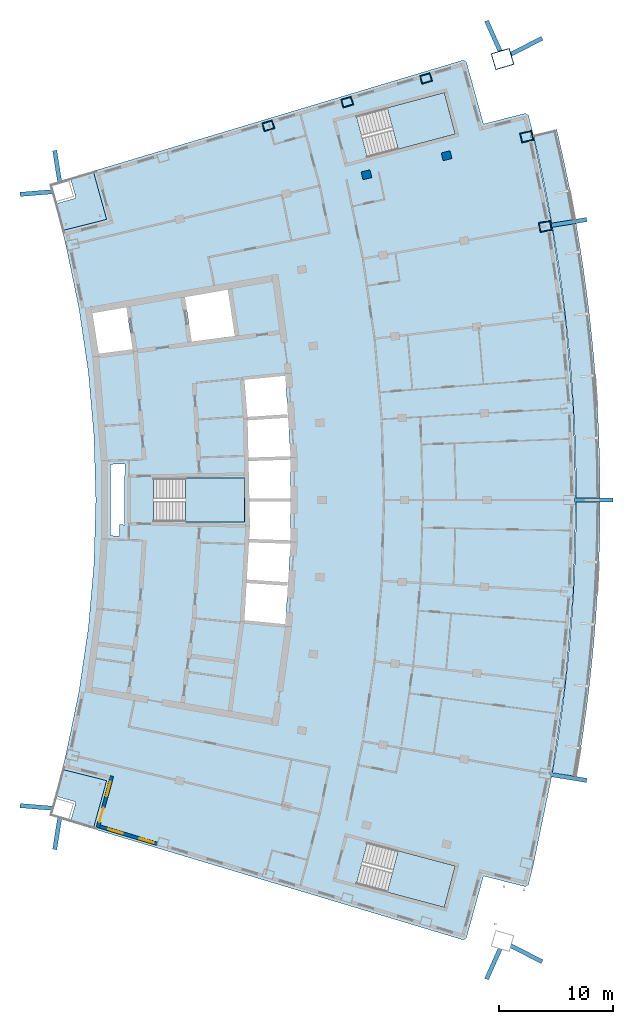
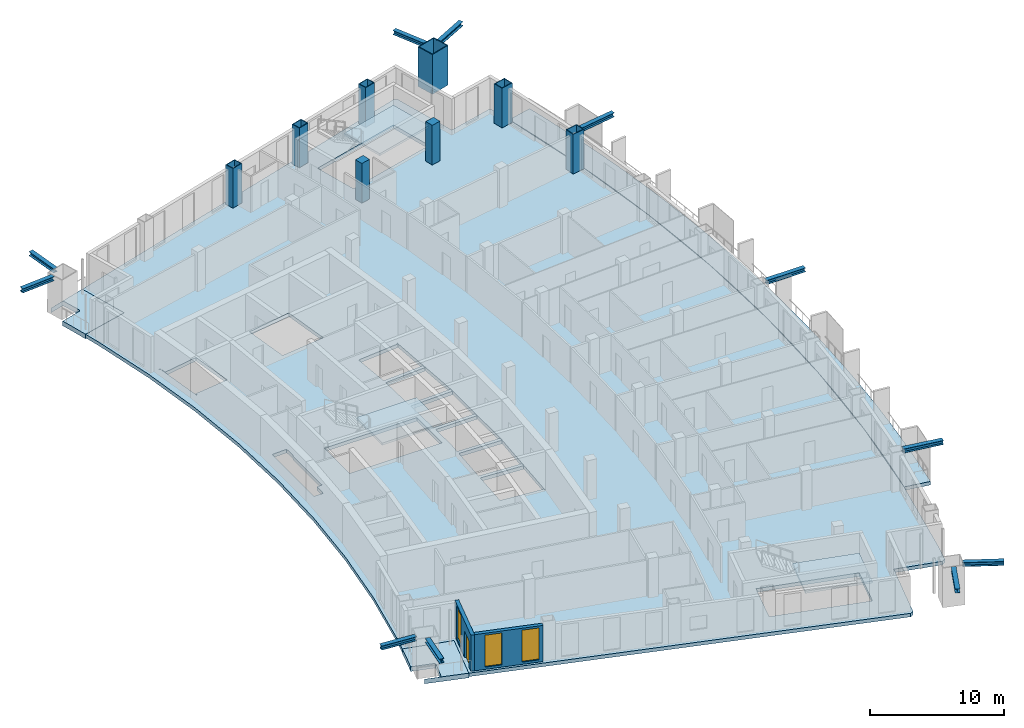
# One storey, part 8 of 19: 11 members, 8 columns, 7 slabs, 3 windows, 2 walls, 1 door, 4 openings, 3 elements without a shape of their own.
"""IFC4 building model written with IfcOpenShell, lengths in metres."""

from ifc_helpers import new_model, si_unit, direction, frame, frame_2d, origin, origin_2d, place, context, subcontext, project, spatial, polyline, rectangle, hollow_rectangle, i_section, outline, extrude, material, layer, layer_set, material_profile, profile_set, type_object, element, fill, aggregate, save


model = new_model("IFC4")

# Units and contexts
model_context = context("Model", 3, precision=1e-05, world=origin(), true_north=direction((0.0, 1.0)))
body_context = subcontext(model_context, "Body", "Model", "MODEL_VIEW")
ifc_project = project(units=[si_unit("LENGTHUNIT", "METRE"), si_unit("AREAUNIT", "SQUARE_METRE"), si_unit("VOLUMEUNIT", "CUBIC_METRE"), si_unit("PLANEANGLEUNIT", "RADIAN"), si_unit("MASSUNIT", "GRAM", prefix="KILO")], contexts=[model_context])

# Site, building, storey
site_placement = place(None, origin())
site = spatial("IfcSite", under=ifc_project, at=site_placement, CompositionType="ELEMENT")
building_placement = place(site_placement, origin())
building = spatial("IfcBuilding", under=site, at=building_placement, Name="Alderwake Tower", CompositionType="ELEMENT")
storey_placement = place(building_placement, frame((0.0, 0.0, 228.800048828125)))
storey = spatial("IfcBuildingStorey", under=building, at=storey_placement, Name="L57", CompositionType="ELEMENT", Elevation=228.800048828125)

# Columns
ifc_material_1 = material(Name="Steel ASTM A572 Grade 50 concrete filled C70/85", Category="concrete")
ifc_material_profile_1 = material_profile(ifc_material_1, hollow_rectangle(XDim=0.75, YDim=0.949951171875, WallThickness=0.054931640625, at=origin_2d()), Name="BOX 950X750X55")
ifc_profile_set_1 = profile_set([ifc_material_profile_1], Name="Steel ASTM A572 Grade 50 concrete filled C70/85")
column_type_1 = type_object("IfcColumnType", Name="End column Z4", PredefinedType="COLUMN", material=ifc_profile_set_1)
for number, where, z_axis, x_axis, name in (
    (1, (31.080322265625, 93.72314453125, 0.0), (0.0, 0.0, 1.0), (-0.282582549822, 0.959242984095, 0.0), "Column R12-C2"),
    (2, (37.976318359375, 95.79345703125, 0.0), (0.0, 0.0, 1.0), (-0.282873846689, 0.959157123134, 0.0), "Column R12-C3"),
    (3, (44.872314453125, 97.86376953125, 0.0), (0.0, 0.0, 1.0), (-0.283131639396, 0.959081057457, 0.0), "Column R12-C4"),
):
    element("IfcColumn", number, at=place(storey_placement, frame(where, z_axis=z_axis, x_axis=x_axis)), inside=storey, type_object=column_type_1, Name=name, PredefinedType="COLUMN", context=body_context, shape_type="SweptSolid", body=[
        extrude(hollow_rectangle(XDim=0.75, YDim=0.949951171875, WallThickness=0.054931640625, at=origin_2d()), origin(), (0.0, 0.0, 1.0), 3.599853515625),
    ])
ifc_material_2 = material(Name="Concrete C70/85", Category="concrete")
ifc_material_profile_2 = material_profile(ifc_material_2, rectangle(XDim=0.699951171875, YDim=0.800048828125, at=origin_2d()), Name="RC 800X700")
ifc_profile_set_2 = profile_set([ifc_material_profile_2], Name="Concrete C70/85")
column_type_2 = type_object("IfcColumnType", Name="Interior column Z4", PredefinedType="COLUMN", material=ifc_profile_set_2)
for number, where, z_axis, x_axis, name in (
    (4, (39.666748046875, 89.440185546875, 0.0), (0.0, 0.0, 1.0), (-0.231221547198, 0.972901123502, 0.0), "Column R11-C3"),
    (5, (46.671630859375, 91.10498046875, 0.0), (0.0, 0.0, 1.0), (-0.231221547198, 0.972901123502, 0.0), "Column R11-C4"),
):
    element("IfcColumn", number, at=place(storey_placement, frame(where, z_axis=z_axis, x_axis=x_axis)), inside=storey, type_object=column_type_2, Name=name, PredefinedType="COLUMN", context=body_context, shape_type="SweptSolid", body=[
        extrude(rectangle(XDim=0.699951171875, YDim=0.800048828125, at=origin_2d()), origin(), (0.0, 0.0, 1.0), 3.599853515625),
    ])
ifc_material_3 = material(Name="Steel ASTM A572 Grade 50 concrete filled C70/85", Category="concrete")
ifc_material_profile_3 = material_profile(ifc_material_3, hollow_rectangle(XDim=1.5, YDim=1.699951171875, WallThickness=0.074951171875, at=origin_2d()), Name="BOX 1700X1500X75")
ifc_profile_set_3 = profile_set([ifc_material_profile_3], Name="Steel ASTM A572 Grade 50 concrete filled C70/85")
column_type_3 = type_object("IfcColumnType", Name="Mega column Z4", PredefinedType="COLUMN", material=ifc_profile_set_3)
column_placement = place(storey_placement, frame((51.565185546875, 99.56201171875, 0.0), z_axis=(0.0, 0.0, 1.0), x_axis=(-0.281269716931, 0.959628754435, 0.0)))
element("IfcColumn", 6, at=column_placement, inside=storey, type_object=column_type_3, Name="Column R12-C5", PredefinedType="COLUMN", context=body_context, shape_type="SweptSolid", body=[
    extrude(hollow_rectangle(XDim=1.5, YDim=1.699951171875, WallThickness=0.074951171875, at=origin_2d()), origin(), (0.0, 0.0, 1.0), 3.599853515625),
])
ifc_material_4 = material(Name="Steel ASTM A572 Grade 50 concrete filled C70/85", Category="concrete")
ifc_material_profile_4 = material_profile(ifc_material_4, hollow_rectangle(XDim=0.85009765625, YDim=1.050048828125, WallThickness=0.054931640625, at=origin_2d()), Name="BOX 1050X850X55")
ifc_profile_set_4 = profile_set([ifc_material_profile_4], Name="Steel ASTM A572 Grade 50 concrete filled C70/85")
column_type_4 = type_object("IfcColumnType", Name="Perimeter column Z4", PredefinedType="COLUMN", material=ifc_profile_set_4)
for number, where, z_axis, x_axis, name in (
    (7, (55.301513671875, 84.922607421875, 0.0), (0.0, 0.0, 1.0), (-0.174108800747, 0.984726421654, 0.0), "Column R10-C5"),
    (8, (53.676513671875, 92.77001953125, 0.0), (0.0, 0.0, 1.0), (-0.231221547198, 0.972901123502, 0.0), "Column R11-C5"),
):
    element("IfcColumn", number, at=place(storey_placement, frame(where, z_axis=z_axis, x_axis=x_axis)), inside=storey, type_object=column_type_4, Name=name, PredefinedType="COLUMN", context=body_context, shape_type="SweptSolid", body=[
        extrude(hollow_rectangle(XDim=0.85009765625, YDim=1.050048828125, WallThickness=0.054931640625, at=origin_2d()), origin(), (0.0, 0.0, 1.0), 3.599853515625),
    ])

# Members
ifc_material_5 = material(Name="Steel ASTM A992 Grade 50", Category="steel")
ifc_material_profile_5 = material_profile(ifc_material_5, i_section(OverallWidth=0.3740234375, OverallDepth=0.372314453125, WebThickness=0.016357421875, FlangeThickness=0.026123046875, at=origin_2d()), Name="W14X132")
ifc_profile_set_5 = profile_set([ifc_material_profile_5], Name="Steel ASTM A992 Grade 50")
member_type = type_object("IfcMemberType", Name="Brace node stub W14X132", PredefinedType="MEMBER", material=ifc_profile_set_5)
member_1_placement = place(storey_placement, frame((55.76904296875, 36.994873046875, 3.393798828125), z_axis=(0.986785445733, -0.162032355067, 0.0), x_axis=(0.162032355067, 0.986785445733, 0.0)))
element("IfcMember", 9, at=member_1_placement, inside=storey, type_object=member_type, Name="Brace node stub BS.FR04-C5.2324", PredefinedType="MEMBER", context=body_context, shape_type="SweptSolid", body=[
    extrude(i_section(OverallWidth=0.3740234375, OverallDepth=0.372314453125, WebThickness=0.016357421875, FlangeThickness=0.026123046875, at=origin_2d()), origin(), (0.0, 0.0, 1.0), 3.19580078125),
])
member_2_placement = place(storey_placement, frame((52.27978515625, 22.02734375, 3.393798828125), z_axis=(0.890557439761, -0.454870801972, 0.0), x_axis=(0.454870801972, 0.890557439761, 0.0)))
element("IfcMember", 10, at=member_2_placement, inside=storey, type_object=member_type, Name="Brace node stub BS.FR02-C5.2324", PredefinedType="MEMBER", context=body_context, shape_type="SweptSolid", body=[
    extrude(i_section(OverallWidth=0.3740234375, OverallDepth=0.372314453125, WebThickness=0.016357421875, FlangeThickness=0.026123046875, at=origin_2d()), origin(), (0.0, 0.0, 1.0), 3.079833984375),
])
member_3_placement = place(storey_placement, frame((57.875, 61.0, 3.393798828125), z_axis=(1.0, 0.0, 0.0), x_axis=(0.0, 1.0, 0.0)))
element("IfcMember", 11, at=member_3_placement, inside=storey, type_object=member_type, Name="Brace node stub BS.FR07-C5.2324", PredefinedType="MEMBER", context=body_context, shape_type="SweptSolid", body=[
    extrude(i_section(OverallWidth=0.3740234375, OverallDepth=0.372314453125, WebThickness=0.016357421875, FlangeThickness=0.026123046875, at=origin_2d()), origin(), (0.0, 0.0, 1.0), 3.33642578125),
])
member_4_placement = place(storey_placement, frame((55.76904296875, 85.005126953125, 3.393798828125), z_axis=(0.986785445733, 0.162032355067, 0.0), x_axis=(-0.162032355067, 0.986785445733, 0.0)))
element("IfcMember", 12, at=member_4_placement, inside=storey, type_object=member_type, Name="Brace node stub BS.FR10-C5.2324", PredefinedType="MEMBER", context=body_context, shape_type="SweptSolid", body=[
    extrude(i_section(OverallWidth=0.3740234375, OverallDepth=0.372314453125, WebThickness=0.016357421875, FlangeThickness=0.026123046875, at=origin_2d()), origin(), (0.0, 0.0, 1.0), 3.19580078125),
])
member_5_placement = place(storey_placement, frame((52.27978515625, 99.97265625, 3.393798828125), z_axis=(0.890557439761, 0.454870801972, 0.0), x_axis=(-0.454870801972, 0.890557439761, 0.0)))
element("IfcMember", 13, at=member_5_placement, inside=storey, type_object=member_type, Name="Brace node stub BS.FR12-C5.2324", PredefinedType="MEMBER", context=body_context, shape_type="SweptSolid", body=[
    extrude(i_section(OverallWidth=0.3740234375, OverallDepth=0.372314453125, WebThickness=0.016357421875, FlangeThickness=0.026123046875, at=origin_2d()), origin(), (0.0, 0.0, 1.0), 3.079833984375),
])
for number, where, z_axis, x_axis, name in (
    (14, (12.239501953125, 34.0400390625, 3.393798828125), (-0.996697997814, 0.081197913482, 0.0), (-0.081197913482, -0.996697997814, 0.0), "Brace node stub BS.RR02-C0.2324"),
    (15, (12.239501953125, 87.9599609375, 3.393798828125), (-0.996697997814, -0.081197913482, 0.0), (0.081197913482, -0.996697997814, 0.0), "Brace node stub BS.RR12-C0.2324"),
):
    element("IfcMember", number, at=place(storey_placement, frame(where, z_axis=z_axis, x_axis=x_axis)), inside=storey, type_object=member_type, Name=name, PredefinedType="MEMBER", context=body_context, shape_type="SweptSolid", body=[
        extrude(i_section(OverallWidth=0.3740234375, OverallDepth=0.372314453125, WebThickness=0.016357421875, FlangeThickness=0.026123046875, at=origin_2d()), origin(), (0.0, 0.0, 1.0), 2.865478515625),
    ])
member_6_placement = place(storey_placement, frame((51.364501953125, 21.767333984375, 3.393798828125), z_axis=(-0.410086834616, -0.912046483505, 0.0), x_axis=(0.912046483505, -0.410086834616, 0.0)))
element("IfcMember", 16, at=member_6_placement, inside=storey, type_object=member_type, Name="Brace node stub BS.SR02-C5.2324", PredefinedType="MEMBER", context=body_context, shape_type="SweptSolid", body=[
    extrude(i_section(OverallWidth=0.3740234375, OverallDepth=0.372314453125, WebThickness=0.016357421875, FlangeThickness=0.026123046875, at=origin_2d()), origin(), (0.0, 0.0, 1.0), 2.923095703125),
])
member_7_placement = place(storey_placement, frame((12.862548828125, 33.331787109375, 3.393798828125), z_axis=(-0.157122439319, -0.987579130532, 0.0), x_axis=(0.987579130532, -0.157122439319, 0.0)))
element("IfcMember", 17, at=member_7_placement, inside=storey, type_object=member_type, Name="Brace node stub BS.SR02-C0.2324", PredefinedType="MEMBER", context=body_context, shape_type="SweptSolid", body=[
    extrude(i_section(OverallWidth=0.3740234375, OverallDepth=0.372314453125, WebThickness=0.016357421875, FlangeThickness=0.026123046875, at=origin_2d()), origin(), (0.0, 0.0, 1.0), 2.928955078125),
])
member_8_placement = place(storey_placement, frame((51.364501953125, 100.232666015625, 3.393798828125), z_axis=(-0.410086834616, 0.912046483505, 0.0), x_axis=(-0.912046483505, -0.410086834616, 0.0)))
element("IfcMember", 18, at=member_8_placement, inside=storey, type_object=member_type, Name="Brace node stub BS.NR12-C5.2324", PredefinedType="MEMBER", context=body_context, shape_type="SweptSolid", body=[
    extrude(i_section(OverallWidth=0.3740234375, OverallDepth=0.372314453125, WebThickness=0.016357421875, FlangeThickness=0.026123046875, at=origin_2d()), origin(), (0.0, 0.0, 1.0), 2.923095703125),
])
member_9_placement = place(storey_placement, frame((12.862548828125, 88.668212890625, 3.393798828125), z_axis=(-0.157122439319, 0.987579130532, 0.0), x_axis=(-0.987579130532, -0.157122439319, 0.0)))
element("IfcMember", 19, at=member_9_placement, inside=storey, type_object=member_type, Name="Brace node stub BS.NR12-C0.2324", PredefinedType="MEMBER", context=body_context, shape_type="SweptSolid", body=[
    extrude(i_section(OverallWidth=0.3740234375, OverallDepth=0.372314453125, WebThickness=0.016357421875, FlangeThickness=0.026123046875, at=origin_2d()), origin(), (0.0, 0.0, 1.0), 2.928955078125),
])

# Slabs
ifc_material_6 = material(Name="Concrete C50/60", Category="concrete")
ifc_layer_1 = layer(ifc_material_6, 0.320068359375)
ifc_layer_set_1 = layer_set([ifc_layer_1], Name="Balcony slab 320")
slab_type_1 = type_object("IfcSlabType", Name="Balcony slab 320", PredefinedType="FLOOR", material=ifc_layer_set_1)
slab_1_placement = place(storey_placement, frame((0.0, 0.0, -0.320068359375)))
element("IfcSlab", 20, at=slab_1_placement, inside=storey, type_object=slab_type_1, Name="Balcony BF04", PredefinedType="FLOOR", context=body_context, shape_type="SweptSolid", body=[
    extrude(outline(polyline([(58.30126953125, 38.621826171875), (58.61279296875, 40.64111328125), (58.89501953125, 42.66455078125), (59.147705078125, 44.692138671875), (59.37060546875, 46.722900390625), (59.56396484375, 48.7568359375), (59.727783203125, 50.79345703125), (59.86181640625, 52.83203125), (59.9658203125, 54.87255859375), (60.040283203125, 56.914306640625), (60.085205078125, 58.956787109375), (60.10009765625, 61.0), (60.085205078125, 63.043212890625), (60.040283203125, 65.085693359375), (59.9658203125, 67.12744140625), (59.86181640625, 69.16796875), (59.727783203125, 71.20654296875), (59.56396484375, 73.2431640625), (59.37060546875, 75.277099609375), (59.147705078125, 77.307861328125), (58.89501953125, 79.33544921875), (58.61279296875, 81.35888671875), (58.30126953125, 83.378173828125), (57.960205078125, 85.392578125), (57.58984375, 87.40185546875), (57.190185546875, 89.405517578125), (56.76123046875, 91.403076171875), (56.303466796875, 93.394287109375), (54.26025390625, 92.90869140625), (54.71142578125, 90.947265625), (55.1337890625, 88.979736328125), (55.52734375, 87.006103515625), (55.892333984375, 85.02685546875), (56.228271484375, 83.042724609375), (56.53515625, 81.0537109375), (56.81298828125, 79.060546875), (57.06201171875, 77.0634765625), (57.281494140625, 75.06298828125), (57.47216796875, 73.0595703125), (57.63330078125, 71.0537109375), (57.765380859375, 69.04541015625), (57.867919921875, 67.03564453125), (57.94140625, 65.0244140625), (57.9853515625, 63.012451171875), (58.0, 61.0), (57.9853515625, 58.987548828125), (57.94140625, 56.9755859375), (57.867919921875, 54.96435546875), (57.765380859375, 52.95458984375), (57.63330078125, 50.9462890625), (57.47216796875, 48.9404296875), (57.281494140625, 46.93701171875), (57.06201171875, 44.9365234375), (56.81298828125, 42.939453125), (56.53515625, 40.9462890625), (56.228271484375, 38.957275390625), (55.892333984375, 36.97314453125), (57.960205078125, 36.607421875), (58.30126953125, 38.621826171875)])), origin(), (0.0, 0.0, 1.0), 0.320068359375),
])
ifc_material_7 = material(Name="Concrete C50/60", Category="concrete")
ifc_layer_2 = layer(ifc_material_7, 0.320068359375)
ifc_layer_set_2 = layer_set([ifc_layer_2], Name="Concrete C50/60 post-tensioned flat plate 320")
slab_type_2 = type_object("IfcSlabType", Name="Concrete C50/60 post-tensioned flat plate 320", PredefinedType="FLOOR", material=ifc_layer_set_2)
slab_2_placement = place(storey_placement, frame((0.0, 0.0, -0.320068359375)))
element("IfcSlab", 21, at=slab_2_placement, inside=storey, type_object=slab_type_2, Name="Floor slab L57", PredefinedType="FLOOR", context=body_context, shape_type="SweptSolid", body=[
    extrude(outline(polyline([(13.06494140625, 37.443115234375), (13.3984375, 38.802734375), (14.53369140625, 44.28564453125), (15.347412109375, 49.825439453125), (15.836669921875, 55.4033203125), (16.0, 61.0), (15.836669921875, 66.5966796875), (15.347412109375, 72.174560546875), (14.53369140625, 77.71435546875), (13.3984375, 83.197265625), (13.06494140625, 84.556884765625), (16.942626953125, 85.53857421875), (15.776611328125, 89.7548828125), (48.120361328125, 99.465576171875), (48.40185546875, 99.309814453125), (49.903076171875, 93.881591796875), (53.557861328125, 94.806640625), (53.835693359375, 94.6396484375), (54.26025390625, 92.90869140625), (55.892333984375, 85.02685546875), (57.06201171875, 77.0634765625), (57.765380859375, 69.04541015625), (58.0, 61.0), (57.765380859375, 52.95458984375), (57.06201171875, 44.9365234375), (55.892333984375, 36.97314453125), (54.26025390625, 29.09130859375), (53.835693359375, 27.3603515625), (53.557861328125, 27.193359375), (49.903076171875, 28.118408203125), (48.40185546875, 22.690185546875), (48.120361328125, 22.534423828125), (15.776611328125, 32.2451171875), (16.942626953125, 36.46142578125), (13.06494140625, 37.443115234375)]), holes=[polyline([(28.9853515625, 50.4306640625), (28.989013671875, 50.430419921875), (28.994140625, 50.485595703125), (32.546875, 50.1376953125), (32.5322265625, 49.988525390625), (32.562255859375, 49.985595703125), (32.80126953125, 53.654541015625), (33.0400390625, 57.323486328125), (33.0400390625, 61.0), (33.0400390625, 64.676513671875), (32.80126953125, 68.345458984375), (32.562255859375, 72.014404296875), (32.532470703125, 72.011474609375), (32.547119140625, 71.8623046875), (28.993896484375, 71.514404296875), (29.256591796875, 68.264892578125), (32.761474609375, 68.4931640625), (32.771240234375, 68.343505859375), (32.781005859375, 68.19384765625), (29.278564453125, 67.9658203125), (29.274169921875, 68.032470703125), (29.2705078125, 68.0322265625), (29.34423828125, 64.70654296875), (33.005126953125, 64.82568359375), (33.010009765625, 64.67578125), (33.014892578125, 64.525634765625), (29.350830078125, 64.406494140625), (29.4228515625, 61.14990234375), (33.010009765625, 61.14990234375), (33.010009765625, 61.0), (33.010009765625, 60.85009765625), (29.429443359375, 60.85009765625), (29.4765625, 58.72314453125), (29.409423828125, 57.591552734375), (33.014892578125, 57.474365234375), (33.010009765625, 57.32421875), (33.005126953125, 57.17431640625), (29.395751953125, 57.291748046875), (29.39599609375, 57.3017578125), (29.392333984375, 57.302001953125), (29.198974609375, 54.039306640625), (32.781005859375, 53.80615234375), (32.771240234375, 53.656494140625), (32.761474609375, 53.5068359375), (29.181396484375, 53.739990234375), (28.9853515625, 50.4306640625)]), polyline([(21.050048828125, 62.875), (21.050048828125, 59.125), (29.0, 59.125), (29.0, 62.875), (21.050048828125, 62.875)]), polyline([(15.64111328125, 77.91015625), (15.487060546875, 77.8828125), (15.487548828125, 77.879150390625), (15.617919921875, 77.899169921875), (16.280029296875, 73.5927734375), (16.31005859375, 73.5966796875), (16.2841796875, 73.794921875), (19.224853515625, 74.1796875), (18.673095703125, 77.842041015625), (18.869140625, 77.87158203125), (18.8671875, 77.8837890625), (15.740234375, 77.340087890625), (15.64111328125, 77.91015625)]), polyline([(27.538330078125, 79.39111328125), (23.794921875, 78.740478515625), (24.384033203125, 74.8583984375), (24.36865234375, 74.856201171875), (24.369140625, 74.8525390625), (28.152587890625, 75.347412109375), (27.538330078125, 79.39111328125)]), polyline([(47.436279296875, 28.996826171875), (39.754150390625, 31.043212890625), (38.7890625, 27.41943359375), (46.47119140625, 25.373291015625), (47.436279296875, 28.996826171875)]), polyline([(46.47119140625, 96.626708984375), (38.7890625, 94.58056640625), (39.754150390625, 90.956787109375), (47.436279296875, 93.003173828125), (46.47119140625, 96.626708984375)]), polyline([(17.289306640625, 64.118408203125), (17.289306640625, 57.881591796875), (18.06298828125, 57.85400390625), (18.090576171875, 58.84375), (18.544189453125, 58.831298828125), (18.529296875, 58.8681640625), (18.5234375, 58.891845703125), (18.5185546875, 58.940673828125), (18.5185546875, 63.060302734375), (18.5234375, 63.109130859375), (18.53759765625, 63.156005859375), (18.560791015625, 63.19921875), (18.588623046875, 63.2333984375), (18.562744140625, 64.16357421875), (17.289306640625, 64.118408203125)])]), origin(), (0.0, 0.0, 1.0), 0.320068359375),
])

# Stair, slab
ifc_material_8 = material(Name="Concrete C40/50", Category="concrete")
stair_type = type_object("IfcStairType", Name="Core exit stair", PredefinedType="HALF_TURN_STAIR", material=ifc_material_8)
stair_1_placement = place(storey_placement, origin())
stair_1 = element("IfcStair", 22, at=stair_1_placement, inside=storey, type_object=stair_type, Name="L57 Exit Stair B", PredefinedType="HALF_TURN_STAIR")
ifc_material_9 = material(Name="Concrete C40/50", Category="concrete")
ifc_layer_3 = layer(ifc_material_9, 0.199951171875)
ifc_layer_set_3 = layer_set([ifc_layer_3], Name="Core stair landing 200")
slab_type_3 = type_object("IfcSlabType", Name="Core stair landing 200", PredefinedType="LANDING", material=ifc_layer_set_3)
slab_3_placement = place(storey_placement, frame((0.0, 0.0, 1.599853515625)))
slab_3 = element("IfcSlab", 23, at=slab_3_placement, type_object=slab_type_3, Name="ST-B landing 1", PredefinedType="LANDING", context=body_context, shape_type="SweptSolid", body=[
    extrude(outline(polyline([(23.830078125, 59.074951171875), (29.0, 59.074951171875), (29.0, 62.925048828125), (23.830078125, 62.925048828125), (23.830078125, 59.074951171875)])), origin(), (0.0, 0.0, 1.0), 0.2001953125),
])
aggregate(stair_1, [slab_3])

stair_2_placement = place(storey_placement, origin())
stair_2 = element("IfcStair", 24, at=stair_2_placement, inside=storey, type_object=stair_type, Name="L57 Exit Stair A", PredefinedType="HALF_TURN_STAIR")
slab_4_placement = place(storey_placement, frame((0.0, 0.0, 1.599853515625)))
slab_4 = element("IfcSlab", 25, at=slab_4_placement, type_object=slab_type_3, Name="ST-A landing 1", PredefinedType="LANDING", context=body_context, shape_type="SweptSolid", body=[
    extrude(outline(polyline([(42.440673828125, 91.67236328125), (47.436279296875, 93.003173828125), (46.47119140625, 96.626708984375), (41.475341796875, 95.296142578125), (42.440673828125, 91.67236328125)])), origin(), (0.0, 0.0, 1.0), 0.2001953125),
])
aggregate(stair_2, [slab_4])

stair_3_placement = place(storey_placement, origin())
stair_3 = element("IfcStair", 26, at=stair_3_placement, inside=storey, type_object=stair_type, Name="L57 Exit Stair C", PredefinedType="HALF_TURN_STAIR")
slab_5_placement = place(storey_placement, frame((0.0, 0.0, 1.599853515625)))
slab_5 = element("IfcSlab", 27, at=slab_5_placement, type_object=slab_type_3, Name="ST-C landing 1", PredefinedType="LANDING", context=body_context, shape_type="SweptSolid", body=[
    extrude(outline(polyline([(41.475341796875, 26.703857421875), (46.47119140625, 25.373291015625), (47.436279296875, 28.996826171875), (42.4404296875, 30.32763671875), (41.475341796875, 26.703857421875)])), origin(), (0.0, 0.0, 1.0), 0.2001953125),
])
aggregate(stair_3, [slab_5])

# Slabs
ifc_material_10 = material(Name="Concrete C50/60", Category="concrete")
ifc_layer_4 = layer(ifc_material_10, 0.419921875)
ifc_layer_set_4 = layer_set([ifc_layer_4], Name="Terrace slab 420")
slab_type_4 = type_object("IfcSlabType", Name="Terrace slab 420", PredefinedType="FLOOR", material=ifc_layer_set_4)
slab_6_placement = place(storey_placement, frame((0.0, 0.0, -0.420166015625)))
element("IfcSlab", 28, at=slab_6_placement, inside=storey, type_object=slab_type_4, Name="Corner terrace RS", PredefinedType="FLOOR", context=body_context, shape_type="SweptSolid", body=[
    extrude(outline(polyline([(15.776611328125, 32.2451171875), (12.517333984375, 33.2236328125), (13.628662109375, 32.901123046875), (13.64306640625, 32.897705078125), (13.65771484375, 32.895751953125), (13.67236328125, 32.895263671875), (13.68701171875, 32.896240234375), (13.701416015625, 32.8984375), (13.7158203125, 32.90234375), (13.7294921875, 32.907470703125), (13.742919921875, 32.913818359375), (13.75537109375, 32.921630859375), (13.76708984375, 32.930419921875), (13.77783203125, 32.9404296875), (13.78759765625, 32.951416015625), (13.796142578125, 32.96337890625), (13.8037109375, 32.976318359375), (13.809814453125, 32.989501953125), (13.814453125, 33.00341796875), (14.232421875, 34.444091796875), (14.23583984375, 34.45849609375), (14.23779296875, 34.472900390625), (14.23828125, 34.48779296875), (14.237548828125, 34.50244140625), (14.235107421875, 34.516845703125), (14.2314453125, 34.53125), (14.226318359375, 34.544921875), (14.2197265625, 34.55810546875), (14.212158203125, 34.57080078125), (14.203125, 34.58251953125), (14.193115234375, 34.59326171875), (14.18212890625, 34.60302734375), (14.170166015625, 34.611572265625), (14.157470703125, 34.618896484375), (14.14404296875, 34.625244140625), (14.130126953125, 34.6298828125), (12.49755859375, 35.103515625), (12.483154296875, 35.10693359375), (12.468505859375, 35.10888671875), (12.453857421875, 35.109619140625), (12.4404296875, 35.108642578125), (12.71142578125, 36.08837890625), (13.06494140625, 37.443115234375), (16.942626953125, 36.46142578125), (15.776611328125, 32.2451171875)])), origin(), (0.0, 0.0, 1.0), 0.420166015625),
])
slab_7_placement = place(storey_placement, frame((0.0, 0.0, -0.420166015625)))
element("IfcSlab", 29, at=slab_7_placement, inside=storey, type_object=slab_type_4, Name="Corner terrace RN", PredefinedType="FLOOR", context=body_context, shape_type="SweptSolid", body=[
    extrude(outline(polyline([(12.4404296875, 86.891357421875), (12.453857421875, 86.890380859375), (12.468505859375, 86.89111328125), (12.483154296875, 86.89306640625), (12.49755859375, 86.896484375), (14.130126953125, 87.3701171875), (14.14404296875, 87.374755859375), (14.157470703125, 87.381103515625), (14.170166015625, 87.388427734375), (14.18212890625, 87.39697265625), (14.193115234375, 87.40673828125), (14.203125, 87.41748046875), (14.212158203125, 87.42919921875), (14.2197265625, 87.44189453125), (14.226318359375, 87.455078125), (14.2314453125, 87.46875), (14.235107421875, 87.483154296875), (14.237548828125, 87.49755859375), (14.23828125, 87.51220703125), (14.23779296875, 87.527099609375), (14.23583984375, 87.54150390625), (14.232421875, 87.555908203125), (13.814453125, 88.99658203125), (13.809814453125, 89.010498046875), (13.8037109375, 89.023681640625), (13.796142578125, 89.03662109375), (13.78759765625, 89.048583984375), (13.77783203125, 89.0595703125), (13.76708984375, 89.069580078125), (13.75537109375, 89.078369140625), (13.742919921875, 89.086181640625), (13.7294921875, 89.092529296875), (13.7158203125, 89.09765625), (13.701416015625, 89.1015625), (13.68701171875, 89.103759765625), (13.67236328125, 89.104736328125), (13.65771484375, 89.104248046875), (13.64306640625, 89.102294921875), (13.628662109375, 89.098876953125), (12.517333984375, 88.7763671875), (15.776611328125, 89.7548828125), (16.942626953125, 85.53857421875), (13.06494140625, 84.556884765625), (12.71142578125, 85.91162109375), (12.4404296875, 86.891357421875)])), origin(), (0.0, 0.0, 1.0), 0.420166015625),
])

# Wall, openings, door, window
ifc_material_11 = material(Name="Bronze metal cladding on lightweight framing")
ifc_layer_5 = layer(ifc_material_11, 0.300048828125)
ifc_layer_set_5 = layer_set([ifc_layer_5], Name="External wall EW2 bronze metal cladding")
wall_type = type_object("IfcWallType", Name="External wall EW2 bronze metal cladding", PredefinedType="SOLIDWALL", material=ifc_layer_set_5)
wall_1_placement = place(storey_placement, frame((17.410400390625, 36.85888671875, 0.0), z_axis=(0.0, 0.0, 1.0), x_axis=(-0.264592640785, -0.96436027212, 0.0)))
wall_1 = element("IfcWall", 30, at=wall_1_placement, inside=storey, type_object=wall_type, Name="External wall 3", PredefinedType="SOLIDWALL", context=body_context, shape_type="SweptSolid", body=[
    extrude(rectangle(XDim=4.690185546875, YDim=0.300048828125, at=frame_2d((2.34521484375, 0.0))), origin(), (0.0, 0.0, 1.0), 3.280029296875),
])
opening_1_placement = place(wall_1_placement, frame((0.5224609375, 0.0, 0.199951171875)))
opening_1 = element("IfcOpeningElement", 31, at=opening_1_placement, cuts=wall_1, Name="Opening W1", PredefinedType="OPENING", context=body_context, shape_type="SweptSolid", body=[
    extrude(rectangle(XDim=1.300048828125, YDim=2.89990234375, at=frame_2d((0.64990234375, 1.449951171875))), frame((0.0, 0.159912109375, 0.0), z_axis=(0.0, -1.0, 0.0), x_axis=(1.0, 0.0, 0.0)), (0.0, 0.0, 1.0), 0.320068359375),
])
opening_2_placement = place(wall_1_placement, frame((2.867431640625, 0.0, 0.0)))
opening_2 = element("IfcOpeningElement", 32, at=opening_2_placement, cuts=wall_1, Name="Opening D01", PredefinedType="OPENING", context=body_context, shape_type="SweptSolid", body=[
    extrude(rectangle(XDim=1.300048828125, YDim=2.39990234375, at=frame_2d((0.64990234375, 1.199951171875))), frame((0.0, 0.159912109375, 0.0), z_axis=(0.0, -1.0, 0.0), x_axis=(1.0, 0.0, 0.0)), (0.0, 0.0, 1.0), 0.320068359375),
])
ifc_material_12 = material(Name="Bronze tinted glass in aluminium frame", Category="aluminium")
door_type = type_object("IfcDoorType", Name="Balcony door BD sliding", OperationType="SLIDING_TO_LEFT", PredefinedType="DOOR", material=ifc_material_12)
door_placement = place(opening_2_placement, origin())
door = element("IfcDoor", 33, at=door_placement, inside=storey, type_object=door_type, Name="Door D01", OperationType="SLIDING_TO_LEFT", OverallHeight=2.39990234375, OverallWidth=1.300048828125, PredefinedType="DOOR", context=body_context, shape_type="SweptSolid", body=[
    extrude(rectangle(XDim=1.300048828125, YDim=2.39990234375, at=frame_2d((0.64990234375, 1.199951171875))), frame((0.0, 0.02490234375, 0.0), z_axis=(0.0, -1.0, 0.0), x_axis=(1.0, 0.0, 0.0)), (0.0, 0.0, 1.0), 0.050048828125),
])
fill(opening_2, door)
ifc_material_13 = material(Name="Bronze tinted glass in aluminium frame", Category="aluminium")
window_type = type_object("IfcWindowType", Name="Window W1 tall fixed and vent", PartitioningType="DOUBLE_PANEL_VERTICAL", PredefinedType="WINDOW", material=ifc_material_13)
window_1_placement = place(opening_1_placement, origin())
window_1 = element("IfcWindow", 34, at=window_1_placement, inside=storey, type_object=window_type, Name="Window W1 tall fixed and vent", OverallHeight=2.89990234375, OverallWidth=1.300048828125, PartitioningType="DOUBLE_PANEL_VERTICAL", PredefinedType="WINDOW", context=body_context, shape_type="SweptSolid", body=[
    extrude(rectangle(XDim=1.300048828125, YDim=2.89990234375, at=frame_2d((0.64990234375, 1.449951171875))), frame((0.0, 0.030029296875, 0.0), z_axis=(0.0, -1.0, 0.0), x_axis=(1.0, 0.0, 0.0)), (0.0, 0.0, 1.0), 0.06005859375),
])
fill(opening_1, window_1)

# Wall, openings, windows
wall_2_placement = place(storey_placement, frame((16.352783203125, 32.4375, 0.0), z_axis=(0.0, 0.0, 1.0), x_axis=(0.95777225046, -0.287527939944, 0.0)))
wall_2 = element("IfcWall", 35, at=wall_2_placement, inside=storey, type_object=wall_type, Name="External wall 4", PredefinedType="SOLIDWALL", context=body_context, shape_type="SweptSolid", body=[
    extrude(rectangle(XDim=5.224609375, YDim=0.300048828125, at=frame_2d((2.6123046875, 0.0))), origin(), (0.0, 0.0, 1.0), 3.280029296875),
])
opening_3_placement = place(wall_2_placement, frame((0.775390625, 0.0, 0.199951171875)))
opening_3 = element("IfcOpeningElement", 36, at=opening_3_placement, cuts=wall_2, Name="Opening W1", PredefinedType="OPENING", context=body_context, shape_type="SweptSolid", body=[
    extrude(rectangle(XDim=1.300048828125, YDim=2.89990234375, at=frame_2d((0.64990234375, 1.449951171875))), frame((0.0, 0.159912109375, 0.0), z_axis=(0.0, -1.0, 0.0), x_axis=(1.0, 0.0, 0.0)), (0.0, 0.0, 1.0), 0.320068359375),
])
opening_4_placement = place(wall_2_placement, frame((3.626220703125, 0.0, 0.199951171875)))
opening_4 = element("IfcOpeningElement", 37, at=opening_4_placement, cuts=wall_2, Name="Opening W1", PredefinedType="OPENING", context=body_context, shape_type="SweptSolid", body=[
    extrude(rectangle(XDim=1.300048828125, YDim=2.89990234375, at=frame_2d((0.64990234375, 1.449951171875))), frame((0.0, 0.159912109375, 0.0), z_axis=(0.0, -1.0, 0.0), x_axis=(1.0, 0.0, 0.0)), (0.0, 0.0, 1.0), 0.320068359375),
])
window_2_placement = place(opening_3_placement, origin())
window_2 = element("IfcWindow", 38, at=window_2_placement, inside=storey, type_object=window_type, Name="Window W1 tall fixed and vent", OverallHeight=2.89990234375, OverallWidth=1.300048828125, PartitioningType="DOUBLE_PANEL_VERTICAL", PredefinedType="WINDOW", context=body_context, shape_type="SweptSolid", body=[
    extrude(rectangle(XDim=1.300048828125, YDim=2.89990234375, at=frame_2d((0.64990234375, 1.449951171875))), frame((0.0, 0.030029296875, 0.0), z_axis=(0.0, -1.0, 0.0), x_axis=(1.0, 0.0, 0.0)), (0.0, 0.0, 1.0), 0.06005859375),
])
fill(opening_3, window_2)
window_3_placement = place(opening_4_placement, origin())
window_3 = element("IfcWindow", 39, at=window_3_placement, inside=storey, type_object=window_type, Name="Window W1 tall fixed and vent", OverallHeight=2.89990234375, OverallWidth=1.300048828125, PartitioningType="DOUBLE_PANEL_VERTICAL", PredefinedType="WINDOW", context=body_context, shape_type="SweptSolid", body=[
    extrude(rectangle(XDim=1.300048828125, YDim=2.89990234375, at=frame_2d((0.64990234375, 1.449951171875))), frame((0.0, 0.030029296875, 0.0), z_axis=(0.0, -1.0, 0.0), x_axis=(1.0, 0.0, 0.0)), (0.0, 0.0, 1.0), 0.06005859375),
])
fill(opening_4, window_3)

save(model, "model.ifc")
